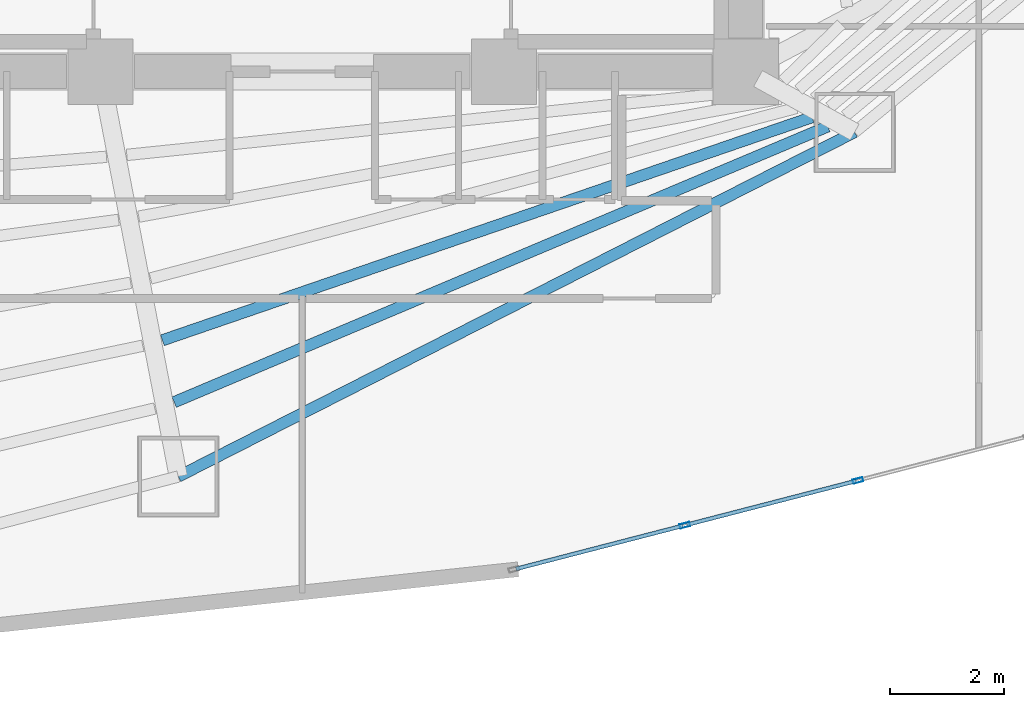
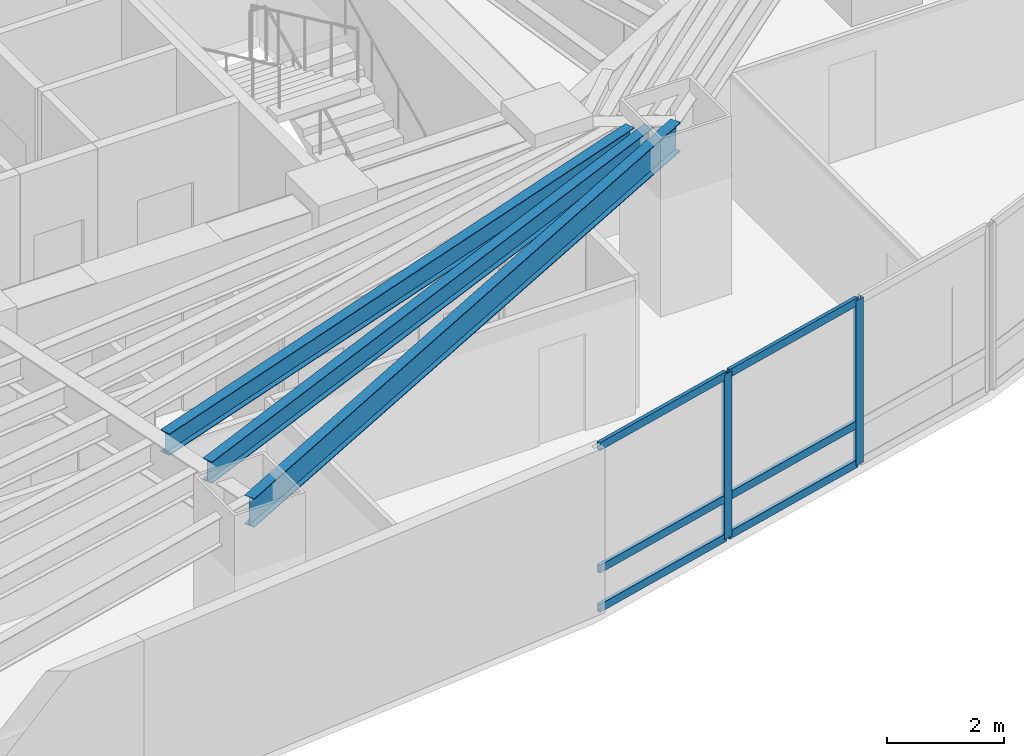
# One storey, part 5 of 20: 8 members, 3 beams, 1 element without a shape of its own.
"""IFC4 building model written with IfcOpenShell, lengths in metres."""

from ifc_helpers import new_model, si_unit, direction, frame, origin, origin_2d, place, context, subcontext, project, spatial, hollow_rectangle, i_section, extrude, material, layer, layer_set, material_profile, profile_set, type_object, element, aggregate, save


model = new_model("IFC4")

# Units and contexts
model_context = context("Model", 3, precision=1e-05, world=origin(), true_north=direction((0.0, 1.0)))
body_context = subcontext(model_context, "Body", "Model", "MODEL_VIEW")
ifc_project = project(units=[si_unit("LENGTHUNIT", "METRE"), si_unit("AREAUNIT", "SQUARE_METRE"), si_unit("VOLUMEUNIT", "CUBIC_METRE"), si_unit("PLANEANGLEUNIT", "RADIAN"), si_unit("MASSUNIT", "GRAM", prefix="KILO")], contexts=[model_context])

# Site, building, storey
site_placement = place(None, origin())
site = spatial("IfcSite", under=ifc_project, at=site_placement, CompositionType="ELEMENT")
building_placement = place(site_placement, origin())
building = spatial("IfcBuilding", under=site, at=building_placement, Name="Menara Vayukalpa", CompositionType="ELEMENT")
storey_placement = place(building_placement, frame((0.0, 0.0, 64.800048828125)))
storey = spatial("IfcBuildingStorey", under=building, at=storey_placement, Name="L15", CompositionType="ELEMENT", Elevation=64.800048828125)

# Beams
ifc_material_1 = material(Name="Steel S355", Category="steel")
ifc_material_profile_1 = material_profile(ifc_material_1, i_section(OverallWidth=0.199951171875, OverallDepth=0.449951171875, WebThickness=0.009033203125, FlangeThickness=0.013916015625, at=origin_2d()), Name="WF 450x200x9x14")
ifc_profile_set_1 = profile_set([ifc_material_profile_1], Name="Steel S355")
beam_type_1 = type_object("IfcBeamType", Name="BM-SJ1", PredefinedType="JOIST", material=ifc_profile_set_1)
beam_1_placement = place(storey_placement, frame((23.14013671875, 12.473876953125, 3.21484375), z_axis=(0.945794261669, 0.324766400038, 0.0), x_axis=(-0.324766400038, 0.945794261669, 0.0)))
element("IfcBeam", 1, at=beam_1_placement, inside=storey, type_object=beam_type_1, Name="L15 Secondary Floor Joist SJ08-4", PredefinedType="JOIST", context=body_context, shape_type="SweptSolid", body=[
    extrude(i_section(OverallWidth=0.199951171875, OverallDepth=0.449951171875, WebThickness=0.009033203125, FlangeThickness=0.013916015625, at=origin_2d()), origin(), (0.0, 0.0, 1.0), 12.0849609375),
])
beam_2_placement = place(storey_placement, frame((23.34716796875, 11.385009765625, 3.21484375), z_axis=(0.921359344435, 0.38871192215, 0.0), x_axis=(-0.38871192215, 0.921359344435, 0.0)))
element("IfcBeam", 2, at=beam_2_placement, inside=storey, type_object=beam_type_1, Name="L15 Secondary Floor Joist SJ08-5", PredefinedType="JOIST", context=body_context, shape_type="SweptSolid", body=[
    extrude(i_section(OverallWidth=0.199951171875, OverallDepth=0.449951171875, WebThickness=0.009033203125, FlangeThickness=0.013916015625, at=origin_2d()), origin(), (0.0, 0.0, 1.0), 12.48046875),
])
ifc_material_2 = material(Name="Steel S355", Category="steel")
ifc_material_profile_2 = material_profile(ifc_material_2, i_section(OverallWidth=0.199951171875, OverallDepth=0.60009765625, WebThickness=0.010986328125, FlangeThickness=0.01708984375, at=origin_2d()), Name="WF 600x200x11x17")
ifc_profile_set_2 = profile_set([ifc_material_profile_2], Name="Steel S355")
beam_type_2 = type_object("IfcBeamType", Name="BM-SP1", PredefinedType="SPANDREL", material=ifc_profile_set_2)
beam_3_placement = place(storey_placement, frame((23.41943359375, 10.0771484375, 3.139892578125), z_axis=(0.891100743313, 0.453805536841, 0.0), x_axis=(-0.453805536841, 0.891100743313, 0.0)))
element("IfcBeam", 3, at=beam_3_placement, inside=storey, type_object=beam_type_2, Name="L15 Perimeter Spandrel Beam SP08", PredefinedType="SPANDREL", context=body_context, shape_type="SweptSolid", body=[
    extrude(i_section(OverallWidth=0.199951171875, OverallDepth=0.60009765625, WebThickness=0.010986328125, FlangeThickness=0.01708984375, at=origin_2d()), origin(), (0.0, 0.0, 1.0), 13.352783203125),
])

# Curtain wall, members
ifc_material_3 = material(Name="Anodised Terracotta Aluminium Alloy 6063-T6", Category="masonry")
ifc_layer = layer(ifc_material_3, 0.179931640625)
ifc_layer_set = layer_set([ifc_layer], Name="Anodised Terracotta Aluminium Alloy 6063-T6")
curtain_wall_type = type_object("IfcCurtainWallType", Name="CW-CW4", PredefinedType="USERDEFINED", material=ifc_layer_set)
curtain_wall_placement = place(storey_placement, origin())
curtain_wall = element("IfcCurtainWall", 4, at=curtain_wall_placement, inside=storey, type_object=curtain_wall_type, Name="L15 Sky Bar Cantilever Glazed Curtain Wall CW4 16", ObjectType="UNITISED", PredefinedType="USERDEFINED")
ifc_material_4 = material(Name="Anodised Terracotta Aluminium Alloy 6063-T6", Category="masonry")
ifc_material_profile_3 = material_profile(ifc_material_4, hollow_rectangle(XDim=0.074951171875, YDim=0.179931640625, WallThickness=0.00390625, at=origin_2d()), Name="ALU 75x180x4")
ifc_profile_set_3 = profile_set([ifc_material_profile_3], Name="Anodised Terracotta Aluminium Alloy 6063-T6")
member_type_1 = type_object("IfcMemberType", Name="CWM-CW4", PredefinedType="MULLION", material=ifc_profile_set_3)
member_1_placement = place(storey_placement, frame((32.332275390625, 9.219482421875, 0.0), z_axis=(0.0, 0.0, 1.0), x_axis=(-0.25040286747, 0.968141727209, 0.0)))
member_1 = element("IfcMember", 5, at=member_1_placement, type_object=member_type_1, Name="CW4 mullion 2", PredefinedType="MULLION", context=body_context, shape_type="SweptSolid", body=[
    extrude(hollow_rectangle(XDim=0.074951171875, YDim=0.179931640625, WallThickness=0.00390625, at=origin_2d()), origin(), (0.0, 0.0, 1.0), 3.43994140625),
])
member_2_placement = place(storey_placement, frame((35.376220703125, 10.006591796875, 0.0), z_axis=(0.0, 0.0, 1.0), x_axis=(-0.25040286747, 0.968141727209, 0.0)))
member_2 = element("IfcMember", 6, at=member_2_placement, type_object=member_type_1, Name="CW4 mullion 3", PredefinedType="MULLION", context=body_context, shape_type="SweptSolid", body=[
    extrude(hollow_rectangle(XDim=0.074951171875, YDim=0.179931640625, WallThickness=0.00390625, at=origin_2d()), origin(), (0.0, 0.0, 1.0), 3.43994140625),
])
ifc_material_5 = material(Name="Anodised Terracotta Aluminium Alloy 6063-T6", Category="masonry")
ifc_material_profile_4 = material_profile(ifc_material_5, hollow_rectangle(XDim=0.070068359375, YDim=0.1650390625, WallThickness=0.00390625, at=origin_2d()), Name="ALU 70x165x4")
ifc_profile_set_4 = profile_set([ifc_material_profile_4], Name="Anodised Terracotta Aluminium Alloy 6063-T6")
member_type_2 = type_object("IfcMemberType", Name="CWT-CW4", PredefinedType="USERDEFINED", material=ifc_profile_set_4)
member_3_placement = place(storey_placement, frame((29.36083984375, 8.450927734375, 0.034912109375), z_axis=(0.968149604166, 0.250372410527, 0.0), x_axis=(-0.250372410527, 0.968149604166, 0.0)))
member_3 = element("IfcMember", 7, at=member_3_placement, type_object=member_type_2, Name="CW4 transom 1.1", ObjectType="TRANSOM", PredefinedType="USERDEFINED", context=body_context, shape_type="SweptSolid", body=[
    extrude(hollow_rectangle(XDim=0.070068359375, YDim=0.1650390625, WallThickness=0.00390625, at=origin_2d()), origin(), (0.0, 0.0, 1.0), 3.03173828125),
])
member_4_placement = place(storey_placement, frame((29.36083984375, 8.450927734375, 0.849853515625), z_axis=(0.968149604166, 0.250372410527, 0.0), x_axis=(-0.250372410527, 0.968149604166, 0.0)))
member_4 = element("IfcMember", 8, at=member_4_placement, type_object=member_type_2, Name="CW4 transom 1.2", ObjectType="TRANSOM", PredefinedType="USERDEFINED", context=body_context, shape_type="SweptSolid", body=[
    extrude(hollow_rectangle(XDim=0.070068359375, YDim=0.1650390625, WallThickness=0.00390625, at=origin_2d()), origin(), (0.0, 0.0, 1.0), 3.03173828125),
])
member_5_placement = place(storey_placement, frame((29.36083984375, 8.450927734375, 3.405029296875), z_axis=(0.968149604166, 0.250372410527, 0.0), x_axis=(-0.250372410527, 0.968149604166, 0.0)))
member_5 = element("IfcMember", 9, at=member_5_placement, type_object=member_type_2, Name="CW4 transom 1.3", ObjectType="TRANSOM", PredefinedType="USERDEFINED", context=body_context, shape_type="SweptSolid", body=[
    extrude(hollow_rectangle(XDim=0.070068359375, YDim=0.1650390625, WallThickness=0.00390625, at=origin_2d()), origin(), (0.0, 0.0, 1.0), 3.03173828125),
])
member_6_placement = place(storey_placement, frame((32.368408203125, 9.228759765625, 0.034912109375), z_axis=(0.968140594701, 0.250407246086, 0.0), x_axis=(-0.250407246086, 0.968140594701, 0.0)))
member_6 = element("IfcMember", 10, at=member_6_placement, type_object=member_type_2, Name="CW4 transom 2.1", ObjectType="TRANSOM", PredefinedType="USERDEFINED", context=body_context, shape_type="SweptSolid", body=[
    extrude(hollow_rectangle(XDim=0.070068359375, YDim=0.1650390625, WallThickness=0.00390625, at=origin_2d()), origin(), (0.0, 0.0, 1.0), 3.0693359375),
])
member_7_placement = place(storey_placement, frame((32.368408203125, 9.228759765625, 0.849853515625), z_axis=(0.968140594701, 0.250407246086, 0.0), x_axis=(-0.250407246086, 0.968140594701, 0.0)))
member_7 = element("IfcMember", 11, at=member_7_placement, type_object=member_type_2, Name="CW4 transom 2.2", ObjectType="TRANSOM", PredefinedType="USERDEFINED", context=body_context, shape_type="SweptSolid", body=[
    extrude(hollow_rectangle(XDim=0.070068359375, YDim=0.1650390625, WallThickness=0.00390625, at=origin_2d()), origin(), (0.0, 0.0, 1.0), 3.0693359375),
])
member_8_placement = place(storey_placement, frame((32.368408203125, 9.228759765625, 3.405029296875), z_axis=(0.968140594701, 0.250407246086, 0.0), x_axis=(-0.250407246086, 0.968140594701, 0.0)))
member_8 = element("IfcMember", 12, at=member_8_placement, type_object=member_type_2, Name="CW4 transom 2.3", ObjectType="TRANSOM", PredefinedType="USERDEFINED", context=body_context, shape_type="SweptSolid", body=[
    extrude(hollow_rectangle(XDim=0.070068359375, YDim=0.1650390625, WallThickness=0.00390625, at=origin_2d()), origin(), (0.0, 0.0, 1.0), 3.0693359375),
])
aggregate(curtain_wall, [member_1, member_2, member_3, member_4, member_5, member_6, member_7, member_8])

save(model, "model.ifc")
